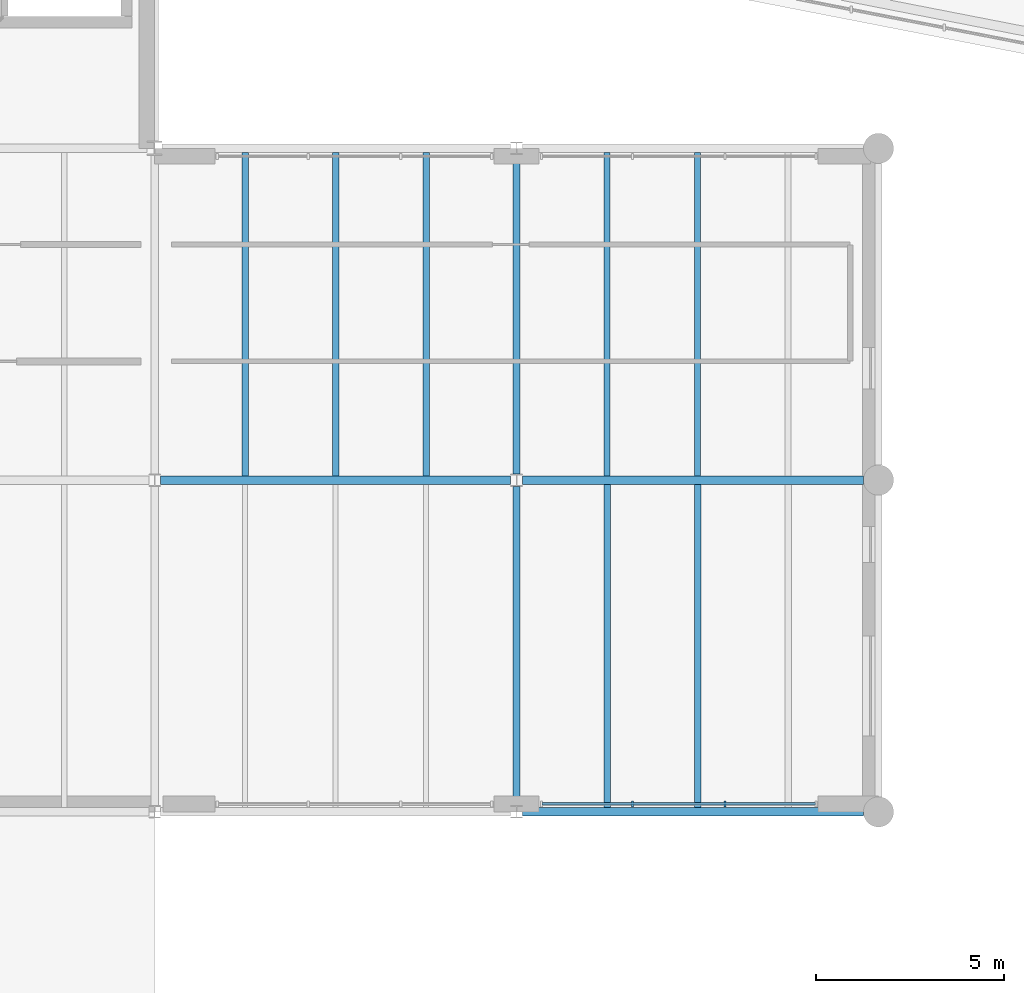
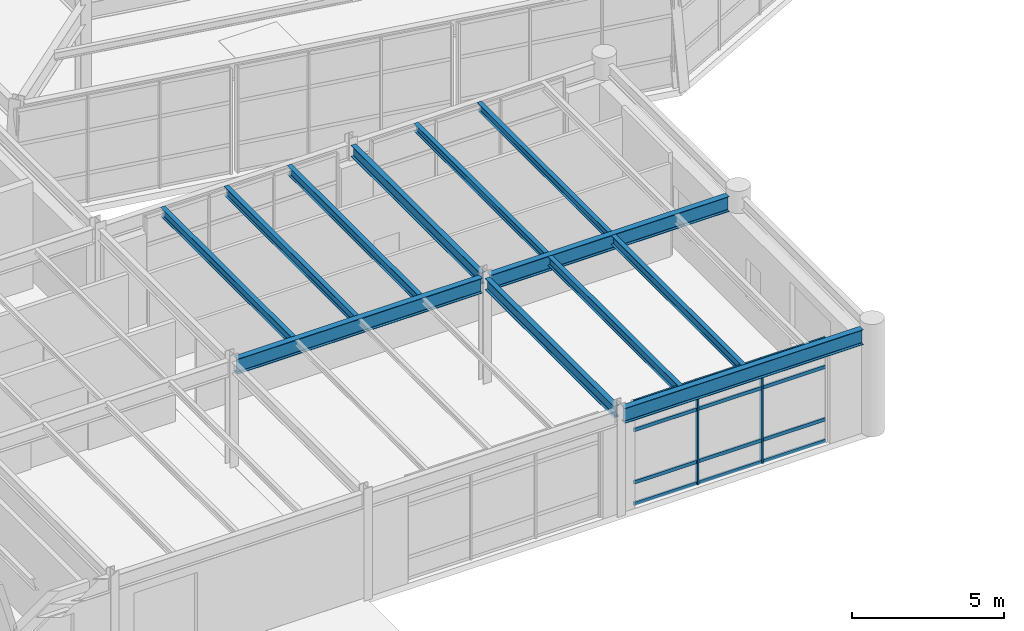
# One storey, part 28 of 88: 12 beams, 6 members, 1 element without a shape of its own.
"""IFC4 building model written with IfcOpenShell, lengths in metres."""

from ifc_helpers import new_model, si_unit, direction, frame, origin, origin_2d, place, context, subcontext, project, spatial, rectangle, i_section, extrude, material, material_profile, profile_set, type_object, element, aggregate, save


model = new_model("IFC4")

# Units and contexts
model_context = context("Model", 3, precision=1e-05, world=origin(), true_north=direction((0.0, 1.0)))
body_context = subcontext(model_context, "Body", "Model", "MODEL_VIEW")
ifc_project = project(units=[si_unit("LENGTHUNIT", "METRE"), si_unit("AREAUNIT", "SQUARE_METRE"), si_unit("VOLUMEUNIT", "CUBIC_METRE"), si_unit("PLANEANGLEUNIT", "RADIAN"), si_unit("MASSUNIT", "GRAM", prefix="KILO")], contexts=[model_context])

# Site, building, storey
site_placement = place(None, origin())
site = spatial("IfcSite", under=ifc_project, at=site_placement, CompositionType="ELEMENT")
building_placement = place(site_placement, origin())
building = spatial("IfcBuilding", under=site, at=building_placement, Name="Sarnbrook Museum", CompositionType="ELEMENT")
storey_placement = place(building_placement, frame((0.0, 0.0, 10.10009765625)))
storey = spatial("IfcBuildingStorey", under=building, at=storey_placement, Name="L02", CompositionType="ELEMENT", Elevation=10.10009765625)

# Beams
ifc_material_1 = material(Name="Structural Steel Grade 300PLUS (AS/NZS 3679.1, fy = 280 MPa for 17 < t <= 40 mm, 300 MPa for t <= 17 mm)", Category="steel")
ifc_material_profile_1 = material_profile(ifc_material_1, i_section(OverallWidth=0.18994140625, OverallDepth=0.45703125, WebThickness=0.009033203125, FlangeThickness=0.014404296875, FilletRadius=0.011474609375, at=origin_2d()), Name="460UB74.6")
ifc_profile_set_1 = profile_set([ifc_material_profile_1], Name="Structural Steel Grade 300PLUS (AS/NZS 3679.1, fy = 280 MPa for 17 < t <= 40 mm, 300 MPa for t <= 17 mm)")
beam_type_1 = type_object("IfcBeamType", Name="BM-UB460", PredefinedType="BEAM", material=ifc_profile_set_1)
for number, where, z_axis, x_axis, name in (
    (1, (128.800048828125, 39.363525390625, 4.00146484375), (0.0, 1.0, 0.0), (-1.0, 0.0, 0.0), "Girder 14:E-F L02"),
    (2, (128.800048828125, 48.16357421875, 4.00146484375), (0.0, 1.0, 0.0), (-1.0, 0.0, 0.0), "Girder 14:F-G L02"),
):
    element("IfcBeam", number, at=place(storey_placement, frame(where, z_axis=z_axis, x_axis=x_axis)), inside=storey, type_object=beam_type_1, Name=name, PredefinedType="BEAM", context=body_context, shape_type="SweptSolid", body=[
        extrude(i_section(OverallWidth=0.18994140625, OverallDepth=0.45703125, WebThickness=0.009033203125, FlangeThickness=0.014404296875, FilletRadius=0.011474609375, at=origin_2d()), origin(), (0.0, 0.0, 1.0), 8.472900390625),
    ])
ifc_material_profile_2 = material_profile(ifc_material_1, i_section(OverallWidth=0.22802734375, OverallDepth=0.60693359375, WebThickness=0.01123046875, FlangeThickness=0.017333984375, FilletRadius=0.013916015625, at=origin_2d()), Name="610UB113")
ifc_profile_set_2 = profile_set([ifc_material_profile_2], Name="Structural Steel Grade 300PLUS (AS/NZS 3679.1, fy = 280 MPa for 17 < t <= 40 mm, 300 MPa for t <= 17 mm)")
beam_type_2 = type_object("IfcBeamType", Name="BM-UB610", PredefinedType="BEAM", material=ifc_profile_set_2)
beam_1_placement = place(storey_placement, frame((128.95556640625, 39.199951171875, 3.926513671875), z_axis=(1.0, 0.0, 0.0), x_axis=(0.0, 1.0, 0.0)))
element("IfcBeam", 3, at=beam_1_placement, inside=storey, type_object=beam_type_2, Name="Girder E:14-15 L02", PredefinedType="BEAM", context=body_context, shape_type="SweptSolid", body=[
    extrude(i_section(OverallWidth=0.22802734375, OverallDepth=0.60693359375, WebThickness=0.01123046875, FlangeThickness=0.017333984375, FilletRadius=0.013916015625, at=origin_2d()), origin(), (0.0, 0.0, 1.0), 9.04443359375),
])
beam_2_placement = place(storey_placement, frame((119.35546875, 48.0, 3.926513671875), z_axis=(1.0, 0.0, 0.0), x_axis=(0.0, 1.0, 0.0)))
element("IfcBeam", 4, at=beam_2_placement, inside=storey, type_object=beam_type_2, Name="Girder F:13-14 L02", PredefinedType="BEAM", context=body_context, shape_type="SweptSolid", body=[
    extrude(i_section(OverallWidth=0.22802734375, OverallDepth=0.60693359375, WebThickness=0.01123046875, FlangeThickness=0.017333984375, FilletRadius=0.013916015625, at=origin_2d()), origin(), (0.0, 0.0, 1.0), 9.2890625),
])
beam_3_placement = place(storey_placement, frame((128.95556640625, 48.0, 3.926513671875), z_axis=(1.0, 0.0, 0.0), x_axis=(0.0, 1.0, 0.0)))
element("IfcBeam", 5, at=beam_3_placement, inside=storey, type_object=beam_type_2, Name="Girder F:14-15 L02", PredefinedType="BEAM", context=body_context, shape_type="SweptSolid", body=[
    extrude(i_section(OverallWidth=0.22802734375, OverallDepth=0.60693359375, WebThickness=0.01123046875, FlangeThickness=0.017333984375, FilletRadius=0.013916015625, at=origin_2d()), origin(), (0.0, 0.0, 1.0), 9.04443359375),
])

# Curtain wall, members
ifc_material_2 = material(Name="Thermally Broken Anodised Aluminium 6063-T6", Category="aluminium")
curtain_wall_type = type_object("IfcCurtainWallType", Name="CurtainWall_GalleryRibbon", PredefinedType="NOTDEFINED", material=ifc_material_2)
curtain_wall_placement = place(storey_placement, origin())
curtain_wall = element("IfcCurtainWall", 6, at=curtain_wall_placement, inside=storey, type_object=curtain_wall_type, Name="Gallery Ribbon Curtain Wall L02-16.2", PredefinedType="NOTDEFINED")
ifc_material_profile_3 = material_profile(ifc_material_2, rectangle(XDim=0.06005859375, YDim=0.159912109375, at=origin_2d()), Name="ALU MULLION 60x160")
ifc_profile_set_3 = profile_set([ifc_material_profile_3], Name="Thermally Broken Anodised Aluminium 6063-T6")
member_type_1 = type_object("IfcMemberType", Name="CW_Mullion_150x65", PredefinedType="MULLION", material=ifc_profile_set_3)
member_1_placement = place(storey_placement, frame((131.873291015625, 39.409912109375, 0.0), z_axis=(0.0, 0.0, 1.0), x_axis=(1.0, 0.0, 0.0)))
member_1 = element("IfcMember", 7, at=member_1_placement, type_object=member_type_1, Name="Gallery Ribbon Curtain Wall L02-16.2 Mullion 2", PredefinedType="MULLION", context=body_context, shape_type="SweptSolid", body=[
    extrude(rectangle(XDim=0.06005859375, YDim=0.159912109375, at=origin_2d()), origin(), (0.0, 0.0, 1.0), 4.159912109375),
])
member_2_placement = place(storey_placement, frame((134.32666015625, 39.409912109375, 0.0), z_axis=(0.0, 0.0, 1.0), x_axis=(1.0, 0.0, 0.0)))
member_2 = element("IfcMember", 8, at=member_2_placement, type_object=member_type_1, Name="Gallery Ribbon Curtain Wall L02-16.2 Mullion 3", PredefinedType="MULLION", context=body_context, shape_type="SweptSolid", body=[
    extrude(rectangle(XDim=0.06005859375, YDim=0.159912109375, at=origin_2d()), origin(), (0.0, 0.0, 1.0), 4.159912109375),
])
ifc_material_profile_4 = material_profile(ifc_material_2, rectangle(XDim=0.06494140625, YDim=0.139892578125, at=origin_2d()), Name="ALU TRANSOM 65x140")
ifc_profile_set_4 = profile_set([ifc_material_profile_4], Name="Thermally Broken Anodised Aluminium 6063-T6")
member_type_2 = type_object("IfcMemberType", Name="CW_Transom_150x65", PredefinedType="USERDEFINED", material=ifc_profile_set_4)
member_3_placement = place(storey_placement, frame((129.469970703125, 39.409912109375, 0.039794921875), z_axis=(1.0, 0.0, 0.0), x_axis=(0.0, 1.0, 0.0)))
member_3 = element("IfcMember", 9, at=member_3_placement, type_object=member_type_2, Name="Gallery Ribbon Curtain Wall L02-16.2 Transom 1", ObjectType="TRANSOM", PredefinedType="USERDEFINED", context=body_context, shape_type="SweptSolid", body=[
    extrude(rectangle(XDim=0.06494140625, YDim=0.139892578125, at=origin_2d()), origin(), (0.0, 0.0, 1.0), 7.260009765625),
])
member_4_placement = place(storey_placement, frame((129.469970703125, 39.409912109375, 0.89990234375), z_axis=(1.0, 0.0, 0.0), x_axis=(0.0, 1.0, 0.0)))
member_4 = element("IfcMember", 10, at=member_4_placement, type_object=member_type_2, Name="Gallery Ribbon Curtain Wall L02-16.2 Transom 2", ObjectType="TRANSOM", PredefinedType="USERDEFINED", context=body_context, shape_type="SweptSolid", body=[
    extrude(rectangle(XDim=0.06494140625, YDim=0.139892578125, at=origin_2d()), origin(), (0.0, 0.0, 1.0), 7.260009765625),
])
member_5_placement = place(storey_placement, frame((129.469970703125, 39.409912109375, 3.0), z_axis=(1.0, 0.0, 0.0), x_axis=(0.0, 1.0, 0.0)))
member_5 = element("IfcMember", 11, at=member_5_placement, type_object=member_type_2, Name="Gallery Ribbon Curtain Wall L02-16.2 Transom 3", ObjectType="TRANSOM", PredefinedType="USERDEFINED", context=body_context, shape_type="SweptSolid", body=[
    extrude(rectangle(XDim=0.06494140625, YDim=0.139892578125, at=origin_2d()), origin(), (0.0, 0.0, 1.0), 7.260009765625),
])
member_6_placement = place(storey_placement, frame((129.469970703125, 39.409912109375, 4.119873046875), z_axis=(1.0, 0.0, 0.0), x_axis=(0.0, 1.0, 0.0)))
member_6 = element("IfcMember", 12, at=member_6_placement, type_object=member_type_2, Name="Gallery Ribbon Curtain Wall L02-16.2 Transom 4", ObjectType="TRANSOM", PredefinedType="USERDEFINED", context=body_context, shape_type="SweptSolid", body=[
    extrude(rectangle(XDim=0.06494140625, YDim=0.139892578125, at=origin_2d()), origin(), (0.0, 0.0, 1.0), 7.260009765625),
])
aggregate(curtain_wall, [member_1, member_2, member_3, member_4, member_5, member_6])

# Beams
ifc_material_profile_5 = material_profile(ifc_material_1, i_section(OverallWidth=0.166015625, OverallDepth=0.306884765625, WebThickness=0.006591796875, FlangeThickness=0.01171875, FilletRadius=0.011474609375, at=origin_2d()), Name="310UB46.2")
ifc_profile_set_5 = profile_set([ifc_material_profile_5], Name="Structural Steel Grade 300PLUS (AS/NZS 3679.1, fy = 280 MPa for 17 < t <= 40 mm, 300 MPa for t <= 17 mm)")
beam_type_3 = type_object("IfcBeamType", Name="JS-UB310H", PredefinedType="JOIST", material=ifc_profile_set_5)
for number, where, z_axis, x_axis, name in (
    (13, (131.199951171875, 48.114013671875, 4.076416015625), (0.0, 1.0, 0.0), (-1.0, 0.0, 0.0), "Composite Floor Joist 14F-1 L02"),
    (14, (133.60009765625, 48.114013671875, 4.076416015625), (0.0, 1.0, 0.0), (-1.0, 0.0, 0.0), "Composite Floor Joist 14F-2 L02"),
):
    element("IfcBeam", number, at=place(storey_placement, frame(where, z_axis=z_axis, x_axis=x_axis)), inside=storey, type_object=beam_type_3, Name=name, PredefinedType="JOIST", context=body_context, shape_type="SweptSolid", body=[
        extrude(i_section(OverallWidth=0.166015625, OverallDepth=0.306884765625, WebThickness=0.006591796875, FlangeThickness=0.01171875, FilletRadius=0.011474609375, at=origin_2d()), origin(), (0.0, 0.0, 1.0), 8.572021484375),
    ])
ifc_material_profile_6 = material_profile(ifc_material_1, i_section(OverallWidth=0.1708984375, OverallDepth=0.35595703125, WebThickness=0.00732421875, FlangeThickness=0.011474609375, FilletRadius=0.011474609375, at=origin_2d()), Name="360UB50.7")
ifc_profile_set_6 = profile_set([ifc_material_profile_6], Name="Structural Steel Grade 300PLUS (AS/NZS 3679.1, fy = 280 MPa for 17 < t <= 40 mm, 300 MPa for t <= 17 mm)")
beam_type_4 = type_object("IfcBeamType", Name="JS-UB360", PredefinedType="JOIST", material=ifc_profile_set_6)
for number, where, z_axis, x_axis, name in (
    (15, (121.60009765625, 48.114013671875, 4.052001953125), (0.0, 1.0, 0.0), (-1.0, 0.0, 0.0), "Composite Floor Joist 13F-1 L02"),
    (16, (124.0, 48.114013671875, 4.052001953125), (0.0, 1.0, 0.0), (-1.0, 0.0, 0.0), "Composite Floor Joist 13F-2 L02"),
    (17, (126.39990234375, 48.114013671875, 4.052001953125), (0.0, 1.0, 0.0), (-1.0, 0.0, 0.0), "Composite Floor Joist 13F-3 L02"),
    (18, (131.199951171875, 39.31396484375, 4.052001953125), (0.0, 1.0, 0.0), (-1.0, 0.0, 0.0), "Composite Floor Joist 14E-1 L02"),
    (19, (133.60009765625, 39.31396484375, 4.052001953125), (0.0, 1.0, 0.0), (-1.0, 0.0, 0.0), "Composite Floor Joist 14E-2 L02"),
):
    element("IfcBeam", number, at=place(storey_placement, frame(where, z_axis=z_axis, x_axis=x_axis)), inside=storey, type_object=beam_type_4, Name=name, PredefinedType="JOIST", context=body_context, shape_type="SweptSolid", body=[
        extrude(i_section(OverallWidth=0.1708984375, OverallDepth=0.35595703125, WebThickness=0.00732421875, FlangeThickness=0.011474609375, FilletRadius=0.011474609375, at=origin_2d()), origin(), (0.0, 0.0, 1.0), 8.572021484375),
    ])

save(model, "model.ifc")
